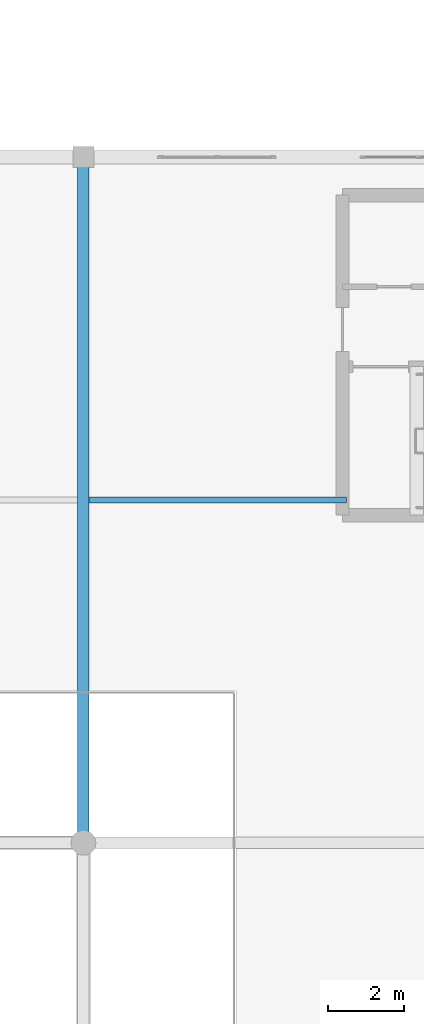
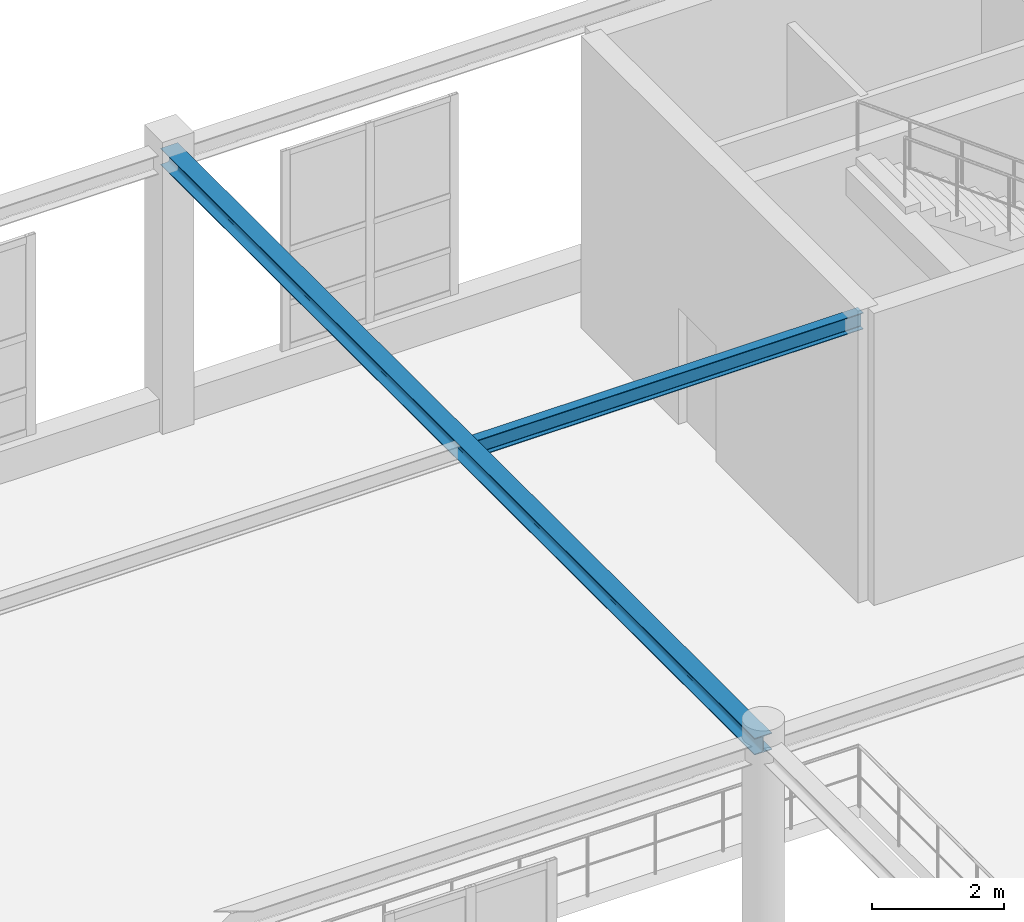
# One storey, part 91 of 197: 2 beams.
"""IFC4 building model written with IfcOpenShell, lengths in metres."""

from ifc_helpers import new_model, si_unit, derived_unit, direction, frame, origin, origin_2d, place, context, subcontext, project, spatial, i_section, extrude, material, material_profile, profile_set, type_object, element, save


model = new_model("IFC4")

# Units and contexts
model_context = context("Model", 3, precision=1e-05, world=origin(), true_north=direction((0.0, 1.0)))
body_context = subcontext(model_context, "Body", "Model", "MODEL_VIEW")
ifc_project = project(units=[si_unit("LENGTHUNIT", "METRE"), si_unit("AREAUNIT", "SQUARE_METRE"), si_unit("VOLUMEUNIT", "CUBIC_METRE"), si_unit("PLANEANGLEUNIT", "RADIAN"), si_unit("MASSUNIT", "GRAM", prefix="KILO"), derived_unit("THERMALTRANSMITTANCEUNIT", [(si_unit("POWERUNIT", "WATT"), 1), (si_unit("LENGTHUNIT", "METRE"), -2), (si_unit("THERMODYNAMICTEMPERATUREUNIT", "KELVIN"), -1)])], contexts=[model_context])

# Site, building, storey
site_placement = place(None, origin())
site = spatial("IfcSite", under=ifc_project, at=site_placement, CompositionType="ELEMENT")
building_placement = place(site_placement, origin())
building = spatial("IfcBuilding", under=site, at=building_placement, Name="Almenara Railside Exhibition Hall", CompositionType="ELEMENT")
storey_placement = place(building_placement, frame((0.0, 0.0, 5.39990234375)))
storey = spatial("IfcBuildingStorey", under=building, at=storey_placement, Name="L01", CompositionType="ELEMENT", Elevation=5.39990234375)

# Beams
ifc_material = material(Name="Structural steel S355JR", Category="steel")
ifc_material_profile_1 = material_profile(ifc_material, i_section(OverallWidth=0.300048828125, OverallDepth=0.31005859375, WebThickness=0.009033203125, FlangeThickness=0.015380859375, FilletRadius=0.027099609375, at=origin_2d()), Name="HEA 320")
ifc_profile_set_1 = profile_set([ifc_material_profile_1], Name="Structural steel S355JR")
beam_type_1 = type_object("IfcBeamType", Name="Steel Concourse Edge Beam HEA 320 S355JR", PredefinedType="BEAM", material=ifc_profile_set_1)
beam_1_placement = place(storey_placement, frame((120.0, 90.0, 4.93115234375), z_axis=(0.0, 1.0, 0.0), x_axis=(-1.0, 0.0, 0.0)))
element("IfcBeam", 1, at=beam_1_placement, inside=storey, type_object=beam_type_1, Name="Beam 0821", PredefinedType="BEAM", context=body_context, shape_type="SweptSolid", body=[
    extrude(i_section(OverallWidth=0.300048828125, OverallDepth=0.31005859375, WebThickness=0.009033203125, FlangeThickness=0.015380859375, FilletRadius=0.027099609375, at=origin_2d()), origin(), (0.0, 0.0, 1.0), 18.0),
])
ifc_material_profile_2 = material_profile(ifc_material, i_section(OverallWidth=0.165771484375, OverallDepth=0.306640625, WebThickness=0.006591796875, FlangeThickness=0.01171875, FilletRadius=0.0087890625, at=origin_2d()), Name="UB 305x165x46")
ifc_profile_set_2 = profile_set([ifc_material_profile_2], Name="Structural steel S355JR")
beam_type_2 = type_object("IfcBeamType", Name="Steel Walkway Joist UB 305x165x46 S355JR", PredefinedType="JOIST", material=ifc_profile_set_2)
beam_2_placement = place(storey_placement, frame((120.14990234375, 99.0, 4.932861328125), z_axis=(1.0, 0.0, 0.0), x_axis=(0.0, 1.0, 0.0)))
element("IfcBeam", 2, at=beam_2_placement, inside=storey, type_object=beam_type_2, Name="Beam 0806", PredefinedType="JOIST", context=body_context, shape_type="SweptSolid", body=[
    extrude(i_section(OverallWidth=0.165771484375, OverallDepth=0.306640625, WebThickness=0.006591796875, FlangeThickness=0.01171875, FilletRadius=0.0087890625, at=origin_2d()), origin(), (0.0, 0.0, 1.0), 6.75),
])

save(model, "model.ifc")
